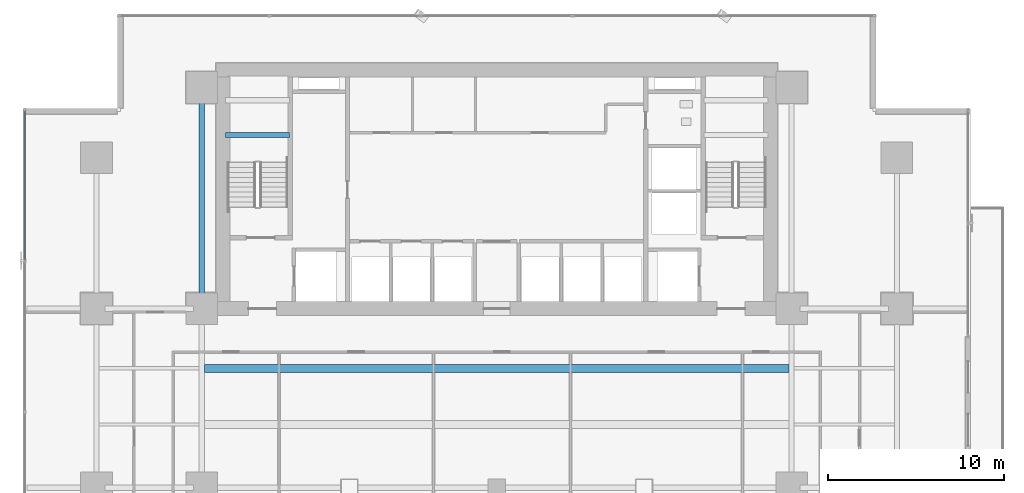
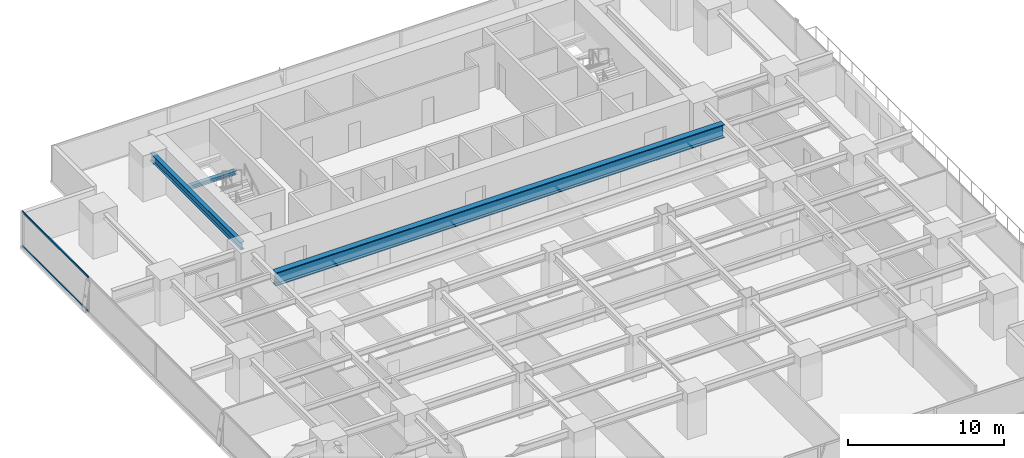
# One storey, part 17 of 33: 3 beams, 2 members, 1 element without a shape of its own.
"""IFC4 building model written with IfcOpenShell, lengths in metres."""

from ifc_helpers import new_model, si_unit, direction, frame, origin, origin_2d, place, context, subcontext, project, spatial, hollow_rectangle, i_section, extrude, source, transform, mapped, material, layer, layer_set, material_profile, profile_set, type_object, element, aggregate, save


model = new_model("IFC4")

# Units and contexts
model_context = context("Model", 3, precision=1e-05, world=origin(), true_north=direction((0.0, 1.0)))
body_context = subcontext(model_context, "Body", "Model", "MODEL_VIEW")
ifc_project = project(units=[si_unit("LENGTHUNIT", "METRE"), si_unit("AREAUNIT", "SQUARE_METRE"), si_unit("VOLUMEUNIT", "CUBIC_METRE"), si_unit("PLANEANGLEUNIT", "RADIAN"), si_unit("MASSUNIT", "GRAM", prefix="KILO")], contexts=[model_context])

# Site, building, storey
site_placement = place(None, origin())
site = spatial("IfcSite", under=ifc_project, at=site_placement, CompositionType="ELEMENT")
building_placement = place(site_placement, origin())
building = spatial("IfcBuilding", under=site, at=building_placement, Name="Sumidabori Civic Tower", CompositionType="ELEMENT")
storey_placement = place(building_placement, frame((0.0, 0.0, 23.60009765625)))
storey = spatial("IfcBuildingStorey", under=building, at=storey_placement, Name="L05", CompositionType="ELEMENT", Elevation=23.60009765625)

# Beams
ifc_material_1 = material(Name="Steel SN490", Category="steel")
ifc_material_profile_1 = material_profile(ifc_material_1, i_section(OverallWidth=0.300048828125, OverallDepth=0.300048828125, WebThickness=0.010986328125, FlangeThickness=0.01904296875, at=origin_2d()), Name="HE 300 B")
ifc_profile_set_1 = profile_set([ifc_material_profile_1], Name="Steel SN490")
beam_type_1 = type_object("IfcBeamType", Name="BM-LDG-300", PredefinedType="BEAM", material=ifc_profile_set_1)
shared_shape_1 = source(origin(), body_context, "Body", "SweptSolid", [
    extrude(i_section(OverallWidth=0.300048828125, OverallDepth=0.300048828125, WebThickness=0.010986328125, FlangeThickness=0.01904296875, at=origin_2d()), origin(), (0.0, 0.0, 1.0), 3.64990234375),
])
beam_1_placement = place(storey_placement, frame((-15.449951171875, 20.09765625, 1.449951171875), z_axis=(1.0, 0.0, 0.0), x_axis=(0.0, 1.0, 0.0)))
element("IfcBeam", 1, at=beam_1_placement, inside=storey, type_object=beam_type_1, Name="Stair ST-1 Landing Support Beam L05-1A", PredefinedType="BEAM", context=body_context, shape_type="MappedRepresentation", body=[
    mapped(shared_shape_1, transform((0.0, 0.0, 0.0), x_axis=(1.0, 0.0, 0.0), y_axis=(0.0, 1.0, 0.0), z_axis=(0.0, 0.0, 1.0), scale=1.0)),
])
ifc_material_profile_2 = material_profile(ifc_material_1, i_section(OverallWidth=0.300048828125, OverallDepth=0.60009765625, WebThickness=0.015380859375, FlangeThickness=0.030029296875, at=origin_2d()), Name="HE 600 B")
ifc_profile_set_2 = profile_set([ifc_material_profile_2], Name="Steel SN490")
beam_type_2 = type_object("IfcBeamType", Name="BM-GIRD-600", PredefinedType="BEAM", material=ifc_profile_set_2)
shared_shape_2 = source(origin(), body_context, "Body", "SweptSolid", [
    extrude(i_section(OverallWidth=0.300048828125, OverallDepth=0.60009765625, WebThickness=0.015380859375, FlangeThickness=0.030029296875, at=origin_2d()), origin(), (0.0, 0.0, 1.0), 11.64013671875),
])
beam_2_placement = place(storey_placement, frame((-16.800048828125, 10.679931640625, 3.059814453125), z_axis=(0.0, 1.0, 0.0), x_axis=(-1.0, 0.0, 0.0)))
element("IfcBeam", 2, at=beam_2_placement, inside=storey, type_object=beam_type_2, Name="Primary Girder L05 GY-28", PredefinedType="BEAM", context=body_context, shape_type="MappedRepresentation", body=[
    mapped(shared_shape_2, transform((0.0, 0.0, 0.0), x_axis=(1.0, 0.0, 0.0), y_axis=(0.0, 1.0, 0.0), z_axis=(0.0, 0.0, 1.0), scale=1.0)),
])
ifc_material_2 = material(Name="Steel SM570", Category="steel")
ifc_material_profile_3 = material_profile(ifc_material_2, i_section(OverallWidth=0.446044921875, OverallDepth=1.0439453125, WebThickness=0.035888671875, FlangeThickness=0.06396484375, at=origin_2d()), Name="W36X652")
ifc_profile_set_3 = profile_set([ifc_material_profile_3], Name="Steel SM570")
beam_type_3 = type_object("IfcBeamType", Name="BM-HEAVY-W36A", PredefinedType="BEAM", material=ifc_profile_set_3)
shared_shape_3 = source(origin(), body_context, "Body", "SweptSolid", [
    extrude(i_section(OverallWidth=0.446044921875, OverallDepth=1.0439453125, WebThickness=0.035888671875, FlangeThickness=0.06396484375, at=origin_2d()), origin(), (0.0, 0.0, 1.0), 33.2998046875),
])
beam_3_placement = place(storey_placement, frame((-16.64990234375, 6.800048828125, 2.837890625), z_axis=(1.0, 0.0, 0.0), x_axis=(0.0, 1.0, 0.0)))
element("IfcBeam", 3, at=beam_3_placement, inside=storey, type_object=beam_type_3, Name="North Bay Floor Beam L05 JSTN-60", PredefinedType="BEAM", context=body_context, shape_type="MappedRepresentation", body=[
    mapped(shared_shape_3, transform((0.0, 0.0, 0.0), x_axis=(1.0, 0.0, 0.0), y_axis=(0.0, 1.0, 0.0), z_axis=(0.0, 0.0, 1.0), scale=1.0)),
])

# Curtain wall, members
ifc_material_3 = material(Name="Anodised Bronze Aluminium AW-6063-T6", Category="aluminium")
ifc_layer = layer(ifc_material_3, 0.179931640625, Name="Anodised Bronze Aluminium AW-6063-T6")
ifc_layer_set = layer_set([ifc_layer], Name="Anodised Bronze Aluminium AW-6063-T6")
curtain_wall_type = type_object("IfcCurtainWallType", Name="CW-SYS-2", PredefinedType="NOTDEFINED", material=ifc_layer_set)
curtain_wall_placement = place(storey_placement, origin())
curtain_wall = element("IfcCurtainWall", 4, at=curtain_wall_placement, inside=storey, type_object=curtain_wall_type, Name="Curtain Wall CW:L05:R11", PredefinedType="NOTDEFINED")
ifc_material_profile_4 = material_profile(ifc_material_3, hollow_rectangle(XDim=0.06494140625, YDim=0.14990234375, WallThickness=0.0048828125, at=origin_2d()), Name="ALU TRANSOM 150x65")
ifc_profile_set_4 = profile_set([ifc_material_profile_4], Name="Anodised Bronze Aluminium AW-6063-T6")
member_type = type_object("IfcMemberType", Name="CW-TRN-150", PredefinedType="USERDEFINED", material=ifc_profile_set_4)
shared_shape_4 = source(origin(), body_context, "Body", "SweptSolid", [
    extrude(hollow_rectangle(XDim=0.06494140625, YDim=0.14990234375, WallThickness=0.0048828125, at=origin_2d()), origin(), (0.0, 0.0, 1.0), 8.52294921875),
])
member_1_placement = place(storey_placement, frame((-26.8798828125, 21.5, 0.032470703125), z_axis=(0.0, -1.0, 0.0), x_axis=(1.0, 0.0, 0.0)))
member_1 = element("IfcMember", 5, at=member_1_placement, type_object=member_type, Name="CW-2 transom 1.1", ObjectType="TRANSOM", PredefinedType="USERDEFINED", context=body_context, shape_type="MappedRepresentation", body=[
    mapped(shared_shape_4, transform((0.0, 0.0, 0.0), x_axis=(1.0, 0.0, 0.0), y_axis=(0.0, 1.0, 0.0), z_axis=(0.0, 0.0, 1.0), scale=1.0)),
])
member_2_placement = place(storey_placement, frame((-26.8798828125, 21.5, 2.70751953125), z_axis=(0.0, -1.0, 0.0), x_axis=(1.0, 0.0, 0.0)))
member_2 = element("IfcMember", 6, at=member_2_placement, type_object=member_type, Name="CW-2 transom 1.2", ObjectType="TRANSOM", PredefinedType="USERDEFINED", context=body_context, shape_type="MappedRepresentation", body=[
    mapped(shared_shape_4, transform((0.0, 0.0, 0.0), x_axis=(1.0, 0.0, 0.0), y_axis=(0.0, 1.0, 0.0), z_axis=(0.0, 0.0, 1.0), scale=1.0)),
])
aggregate(curtain_wall, [member_1, member_2])

save(model, "model.ifc")
